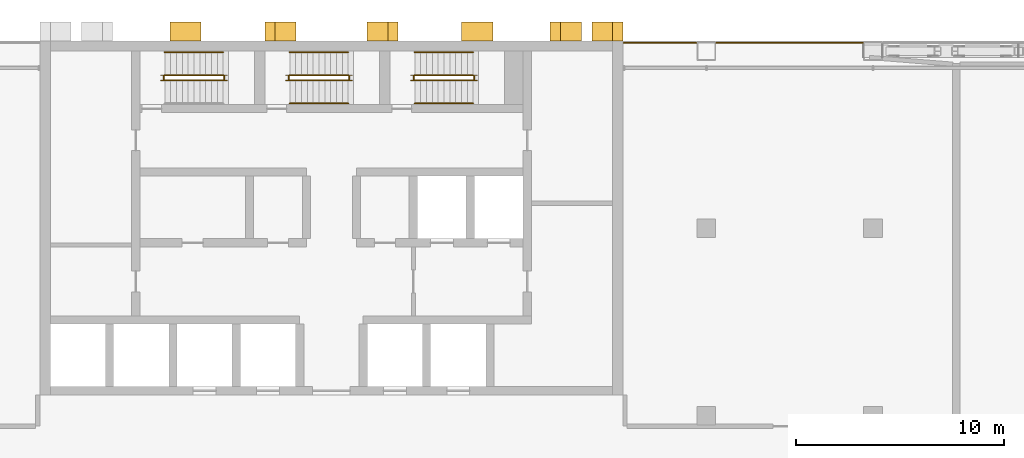
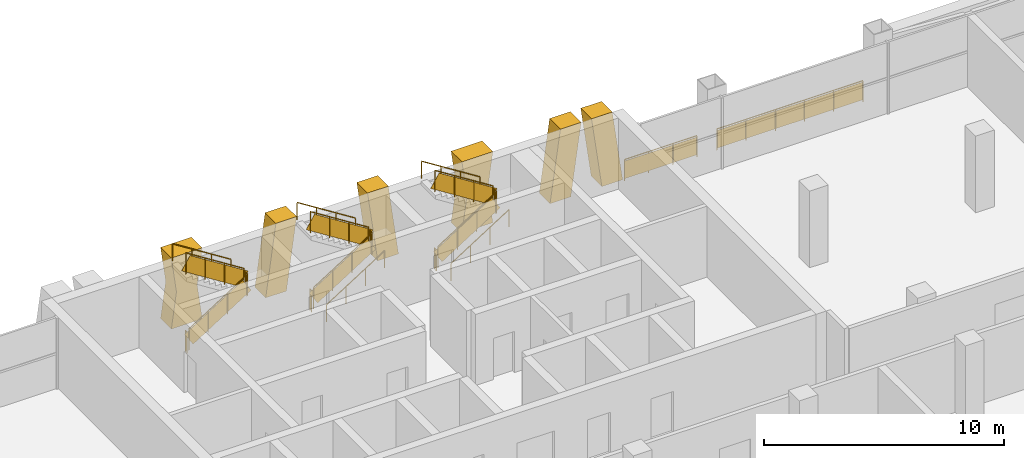
# One storey, part 18 of 19: 19 railings, 6 shading devices.
"""IFC4 building model written with IfcOpenShell, lengths in metres."""

from ifc_helpers import new_model, si_unit, direction, frame, origin, origin_2d, place, context, subcontext, project, spatial, polyline, rectangle, circle, outline, extrude, material, layer, layer_set, type_object, element, save


model = new_model("IFC4")

# Units and contexts
model_context = context("Model", 3, precision=1e-05, world=origin(), true_north=direction((0.0, 1.0)))
body_context = subcontext(model_context, "Body", "Model", "MODEL_VIEW")
ifc_project = project(units=[si_unit("LENGTHUNIT", "METRE"), si_unit("AREAUNIT", "SQUARE_METRE"), si_unit("VOLUMEUNIT", "CUBIC_METRE"), si_unit("PLANEANGLEUNIT", "RADIAN"), si_unit("MASSUNIT", "GRAM", prefix="KILO")], contexts=[model_context])

# Site, building, storey
site_placement = place(None, origin())
site = spatial("IfcSite", under=ifc_project, at=site_placement, CompositionType="ELEMENT")
building_placement = place(site_placement, origin())
building = spatial("IfcBuilding", under=site, at=building_placement, Name="Vidyagriha Tower", CompositionType="ELEMENT")
storey_placement = place(building_placement, frame((0.0, 0.0, 73.60009765625)))
storey = spatial("IfcBuildingStorey", under=building, at=storey_placement, Name="L18", CompositionType="ELEMENT", Elevation=73.60009765625)

# Shading devices
ifc_material_1 = material(Name="Precast concrete C40/50 with brick facing", Category="concrete")
ifc_layer_1 = layer(ifc_material_1, 1.0)
ifc_layer_set_1 = layer_set([ifc_layer_1], Name="Precast concrete C40/50 with brick facing")
shading_device_type_1 = type_object("IfcShadingDeviceType", Name="Brick-faced rear rib arm leaning 8 degrees", PredefinedType="USERDEFINED", material=ifc_layer_set_1)
shading_device_1_placement = place(storey_placement, frame((14.0, 20.449951171875, 0.0), z_axis=(0.0, 0.0, 1.0), x_axis=(-1.0, 0.0, 0.0)))
element("IfcShadingDevice", 1, at=shading_device_1_placement, inside=storey, type_object=shading_device_type_1, Name="Rear rib arm L18 R08.1a", ObjectType="BLADE FIN", PredefinedType="USERDEFINED", context=body_context, shape_type="SweptSolid", body=[
    extrude(outline(polyline([(0.0, 0.0), (1.0, 0.0), (1.5, 3.619873046875), (0.5, 3.619873046875), (0.0, 0.0)])), frame((0.0, 0.449951171875, 0.0), z_axis=(0.0, -1.0, 0.0), x_axis=(1.0, 0.0, 0.0)), (0.0, 0.0, 1.0), 0.89990234375),
])
shading_device_2_placement = place(storey_placement, frame((12.0, 20.449951171875, 0.0), z_axis=(0.0, 0.0, 1.0), x_axis=(-1.0, 0.0, 0.0)))
element("IfcShadingDevice", 2, at=shading_device_2_placement, inside=storey, type_object=shading_device_type_1, Name="Rear rib arm L18 R08.1b", ObjectType="BLADE FIN", PredefinedType="USERDEFINED", context=body_context, shape_type="SweptSolid", body=[
    extrude(outline(polyline([(0.5, 0.0), (1.5, 0.0), (1.0, 3.619873046875), (0.0, 3.619873046875), (0.5, 0.0)])), frame((0.0, 0.449951171875, 0.0), z_axis=(0.0, -1.0, 0.0), x_axis=(1.0, 0.0, 0.0)), (0.0, 0.0, 1.0), 0.89990234375),
])
shading_device_3_placement = place(storey_placement, frame((3.199951171875, 20.449951171875, 0.0), z_axis=(0.0, 0.0, 1.0), x_axis=(-1.0, 0.0, 0.0)))
element("IfcShadingDevice", 3, at=shading_device_3_placement, inside=storey, type_object=shading_device_type_1, Name="Rear rib arm L18 R08.3a", ObjectType="BLADE FIN", PredefinedType="USERDEFINED", context=body_context, shape_type="SweptSolid", body=[
    extrude(outline(polyline([(0.0, 0.0), (1.0, 0.0), (1.490966796875, 3.619873046875), (0.490966796875, 3.619873046875), (0.0, 0.0)])), frame((0.0, 0.449951171875, 0.0), z_axis=(0.0, -1.0, 0.0), x_axis=(1.0, 0.0, 0.0)), (0.0, 0.0, 1.0), 0.89990234375),
])
shading_device_4_placement = place(storey_placement, frame((-1.708984375, 20.449951171875, 0.0), z_axis=(0.0, 0.0, 1.0), x_axis=(-1.0, 0.0, 0.0)))
element("IfcShadingDevice", 4, at=shading_device_4_placement, inside=storey, type_object=shading_device_type_1, Name="Rear rib arm L18 R08.3b", ObjectType="BLADE FIN", PredefinedType="USERDEFINED", context=body_context, shape_type="SweptSolid", body=[
    extrude(outline(polyline([(0.490966796875, 0.0), (1.490966796875, 0.0), (1.0, 3.619873046875), (0.0, 3.619873046875), (0.490966796875, 0.0)])), frame((0.0, 0.449951171875, 0.0), z_axis=(0.0, -1.0, 0.0), x_axis=(1.0, 0.0, 0.0)), (0.0, 0.0, 1.0), 0.89990234375),
])
ifc_material_2 = material(Name="Precast concrete C40/50 with brick facing", Category="concrete")
ifc_layer_2 = layer(ifc_material_2, 1.0)
ifc_layer_set_2 = layer_set([ifc_layer_2], Name="Precast concrete C40/50 with brick facing")
shading_device_type_2 = type_object("IfcShadingDeviceType", Name="Brick-faced rear rib forking 8 degrees", PredefinedType="USERDEFINED", material=ifc_layer_set_2)
for number, where, z_axis, x_axis, name in (
    (5, (7.74560546875, 20.449951171875, 0.0), (0.0, 0.0, 1.0), (-1.0, 0.0, 0.0), "Rear rib fork L18 R08.2a"),
    (6, (-6.25439453125, 20.449951171875, 0.0), (0.0, 0.0, 1.0), (-1.0, 0.0, 0.0), "Rear rib fork L18 R08.4a"),
):
    element("IfcShadingDevice", number, at=place(storey_placement, frame(where, z_axis=z_axis, x_axis=x_axis)), inside=storey, type_object=shading_device_type_2, Name=name, ObjectType="BLADE FIN", PredefinedType="USERDEFINED", context=body_context, shape_type="SweptSolid", body=[
        extrude(outline(polyline([(0.0, 0.0), (1.490966796875, 0.0), (1.24560546875, 1.809814453125), (1.490966796875, 3.619873046875), (0.0, 3.619873046875), (0.24560546875, 1.809814453125), (0.0, 0.0)])), frame((0.0, 0.449951171875, 0.0), z_axis=(0.0, -1.0, 0.0), x_axis=(1.0, 0.0, 0.0)), (0.0, 0.0, 1.0), 0.89990234375),
    ])

# Railings
ifc_material_3 = material(Name="Steel ASTM A500 Grade C black painted", Category="steel")
railing_type_1 = type_object("IfcRailingType", Name="Gallery guard 1100", PredefinedType="GUARDRAIL", material=ifc_material_3)
railing_1_placement = place(storey_placement, frame((14.030029296875, 19.89990234375, 0.0)))
element("IfcRailing", 7, at=railing_1_placement, inside=storey, type_object=railing_type_1, Name="Gallery guard L18 9", PredefinedType="GUARDRAIL", context=body_context, shape_type="SweptSolid", body=[
    extrude(circle(Radius=0.02490234375, at=origin_2d()), frame((0.0, 0.0, 1.0751953125), z_axis=(1.0, 0.0, 0.0), x_axis=(0.0, 1.0, 0.0)), (0.0, 0.0, 1.0), 3.489990234375),
    extrude(circle(Radius=0.02001953125, at=origin_2d()), origin(), (0.0, 0.0, 1.0), 1.050048828125),
    extrude(circle(Radius=0.02001953125, at=origin_2d()), frame((1.163330078125, 0.0, 0.0)), (0.0, 0.0, 1.0), 1.050048828125),
    extrude(circle(Radius=0.02001953125, at=origin_2d()), frame((2.32666015625, 0.0, 0.0)), (0.0, 0.0, 1.0), 1.050048828125),
    extrude(circle(Radius=0.02001953125, at=origin_2d()), frame((3.489990234375, 0.0, 0.0)), (0.0, 0.0, 1.0), 1.050048828125),
    extrude(rectangle(XDim=0.010009765625, YDim=0.900146484375, at=origin_2d()), frame((0.0, 0.0, 0.550048828125), z_axis=(1.0, 0.0, 0.0), x_axis=(0.0, 1.0, 0.0)), (0.0, 0.0, 1.0), 3.489990234375),
])
railing_2_placement = place(storey_placement, frame((18.47998046875, 19.89990234375, 0.0)))
element("IfcRailing", 8, at=railing_2_placement, inside=storey, type_object=railing_type_1, Name="Gallery guard L18 11", PredefinedType="GUARDRAIL", context=body_context, shape_type="SweptSolid", body=[
    extrude(circle(Radius=0.02490234375, at=origin_2d()), frame((0.0, 0.0, 1.0751953125), z_axis=(1.0, 0.0, 0.0), x_axis=(0.0, 1.0, 0.0)), (0.0, 0.0, 1.0), 7.0400390625),
    extrude(circle(Radius=0.02001953125, at=origin_2d()), origin(), (0.0, 0.0, 1.0), 1.050048828125),
    extrude(circle(Radius=0.02001953125, at=origin_2d()), frame((1.407958984375, 0.0, 0.0)), (0.0, 0.0, 1.0), 1.050048828125),
    extrude(circle(Radius=0.02001953125, at=origin_2d()), frame((2.81591796875, 0.0, 0.0)), (0.0, 0.0, 1.0), 1.050048828125),
    extrude(circle(Radius=0.02001953125, at=origin_2d()), frame((4.22412109375, 0.0, 0.0)), (0.0, 0.0, 1.0), 1.050048828125),
    extrude(circle(Radius=0.02001953125, at=origin_2d()), frame((5.632080078125, 0.0, 0.0)), (0.0, 0.0, 1.0), 1.050048828125),
    extrude(circle(Radius=0.02001953125, at=origin_2d()), frame((7.0400390625, 0.0, 0.0)), (0.0, 0.0, 1.0), 1.050048828125),
    extrude(rectangle(XDim=0.010009765625, YDim=0.900146484375, at=origin_2d()), frame((0.0, 0.0, 0.550048828125), z_axis=(1.0, 0.0, 0.0), x_axis=(0.0, 1.0, 0.0)), (0.0, 0.0, 1.0), 7.0400390625),
])
ifc_material_4 = material(Name="Steel ASTM A500 Grade C", Category="steel")
railing_type_2 = type_object("IfcRailingType", Name="Stair guard 1100 mm, steel balustrade", PredefinedType="GUARDRAIL", material=ifc_material_4)
railing_3_placement = place(storey_placement, frame((-8.0, 18.10009765625, 0.17724609375)))
element("IfcRailing", 9, at=railing_3_placement, inside=storey, type_object=railing_type_2, Name="L18 ST1 stair guard 1", PredefinedType="GUARDRAIL", context=body_context, shape_type="SweptSolid", body=[
    extrude(circle(Radius=0.02392578125, at=origin_2d()), frame((0.0, 0.0, 1.076171875), z_axis=(0.844908973607, 0.0, 0.534910110503), x_axis=(0.0, 1.0, 0.0)), (0.0, 0.0, 1.0), 3.31396484375),
    extrude(circle(Radius=0.02099609375, at=origin_2d()), origin(), (0.0, 0.0, 1.0), 1.052001953125),
    extrude(circle(Radius=0.02099609375, at=origin_2d()), frame((0.933349609375, 0.0, 0.5908203125)), (0.0, 0.0, 1.0), 1.052001953125),
    extrude(circle(Radius=0.02099609375, at=origin_2d()), frame((1.86669921875, 0.0, 1.181884765625)), (0.0, 0.0, 1.0), 1.052001953125),
    extrude(circle(Radius=0.02099609375, at=origin_2d()), frame((2.800048828125, 0.0, 1.772705078125)), (0.0, 0.0, 1.0), 1.052001953125),
    extrude(rectangle(XDim=0.010009765625, YDim=0.76220703125, at=origin_2d()), frame((0.0, 0.0, 0.551025390625), z_axis=(0.844908973607, 0.0, 0.534910110503), x_axis=(0.0, 1.0, 0.0)), (0.0, 0.0, 1.0), 3.31396484375),
])
railing_4_placement = place(storey_placement, frame((-5.14990234375, 18.14990234375, 1.949951171875)))
element("IfcRailing", 10, at=railing_4_placement, inside=storey, type_object=railing_type_2, Name="L18 ST1 stair guard 2", PredefinedType="GUARDRAIL", context=body_context, shape_type="SweptSolid", body=[
    extrude(circle(Radius=0.02392578125, at=origin_2d()), frame((0.0, 0.0, 1.076171875), z_axis=(0.0, 1.0, 0.0), x_axis=(-1.0, 0.0, 0.0)), (0.0, 0.0, 1.0), 0.150146484375),
    extrude(circle(Radius=0.02099609375, at=origin_2d()), origin(), (0.0, 0.0, 1.0), 1.052001953125),
    extrude(circle(Radius=0.02099609375, at=origin_2d()), frame((0.0, 0.150146484375, 0.0)), (0.0, 0.0, 1.0), 1.052001953125),
    extrude(rectangle(XDim=0.010009765625, YDim=0.902099609375, at=origin_2d()), frame((0.0, 0.0, 0.551025390625), z_axis=(0.0, 1.0, 0.0), x_axis=(-1.0, 0.0, 0.0)), (0.0, 0.0, 1.0), 0.150146484375),
])
railing_5_placement = place(storey_placement, frame((-5.199951171875, 18.35009765625, 2.127197265625)))
element("IfcRailing", 11, at=railing_5_placement, inside=storey, type_object=railing_type_2, Name="L18 ST1 stair guard 3", PredefinedType="GUARDRAIL", context=body_context, shape_type="SweptSolid", body=[
    extrude(circle(Radius=0.02392578125, at=origin_2d()), frame((0.0, 0.0, 1.076171875), z_axis=(-0.844908973607, 0.0, 0.534910110503), x_axis=(0.0, -1.0, 0.0)), (0.0, 0.0, 1.0), 3.31396484375),
    extrude(circle(Radius=0.02099609375, at=origin_2d()), origin(), (0.0, 0.0, 1.0), 1.052001953125),
    extrude(circle(Radius=0.02099609375, at=origin_2d()), frame((-0.933349609375, 0.0, 0.5908203125)), (0.0, 0.0, 1.0), 1.052001953125),
    extrude(circle(Radius=0.02099609375, at=origin_2d()), frame((-1.86669921875, 0.0, 1.181884765625)), (0.0, 0.0, 1.0), 1.052001953125),
    extrude(circle(Radius=0.02099609375, at=origin_2d()), frame((-2.800048828125, 0.0, 1.772705078125)), (0.0, 0.0, 1.0), 1.052001953125),
    extrude(rectangle(XDim=0.010009765625, YDim=0.76220703125, at=origin_2d()), frame((0.0, 0.0, 0.551025390625), z_axis=(-0.844908973607, 0.0, 0.534910110503), x_axis=(0.0, -1.0, 0.0)), (0.0, 0.0, 1.0), 3.31396484375),
])
railing_6_placement = place(storey_placement, frame((-8.050048828125, 18.14990234375, 0.0)))
element("IfcRailing", 12, at=railing_6_placement, inside=storey, type_object=railing_type_2, Name="L18 ST1 stair guard 4", PredefinedType="GUARDRAIL", context=body_context, shape_type="SweptSolid", body=[
    extrude(circle(Radius=0.02392578125, at=origin_2d()), frame((0.0, 0.0, 1.076171875), z_axis=(0.0, 1.0, 0.0), x_axis=(-1.0, 0.0, 0.0)), (0.0, 0.0, 1.0), 0.150146484375),
    extrude(circle(Radius=0.02099609375, at=origin_2d()), origin(), (0.0, 0.0, 1.0), 1.052001953125),
    extrude(circle(Radius=0.02099609375, at=origin_2d()), frame((0.0, 0.150146484375, 0.0)), (0.0, 0.0, 1.0), 1.052001953125),
    extrude(rectangle(XDim=0.010009765625, YDim=0.902099609375, at=origin_2d()), frame((0.0, 0.0, 0.551025390625), z_axis=(0.0, 1.0, 0.0), x_axis=(-1.0, 0.0, 0.0)), (0.0, 0.0, 1.0), 0.150146484375),
])
railing_7_placement = place(storey_placement, frame((-2.0, 18.10009765625, 0.17724609375)))
element("IfcRailing", 13, at=railing_7_placement, inside=storey, type_object=railing_type_2, Name="L18 ST2 stair guard 1", PredefinedType="GUARDRAIL", context=body_context, shape_type="SweptSolid", body=[
    extrude(circle(Radius=0.02392578125, at=origin_2d()), frame((0.0, 0.0, 1.076171875), z_axis=(0.844908973607, 0.0, 0.534910110503), x_axis=(0.0, 1.0, 0.0)), (0.0, 0.0, 1.0), 3.31396484375),
    extrude(circle(Radius=0.02099609375, at=origin_2d()), origin(), (0.0, 0.0, 1.0), 1.052001953125),
    extrude(circle(Radius=0.02099609375, at=origin_2d()), frame((0.933349609375, 0.0, 0.5908203125)), (0.0, 0.0, 1.0), 1.052001953125),
    extrude(circle(Radius=0.02099609375, at=origin_2d()), frame((1.86669921875, 0.0, 1.181884765625)), (0.0, 0.0, 1.0), 1.052001953125),
    extrude(circle(Radius=0.02099609375, at=origin_2d()), frame((2.800048828125, 0.0, 1.772705078125)), (0.0, 0.0, 1.0), 1.052001953125),
    extrude(rectangle(XDim=0.010009765625, YDim=0.76220703125, at=origin_2d()), frame((0.0, 0.0, 0.551025390625), z_axis=(0.844908973607, 0.0, 0.534910110503), x_axis=(0.0, 1.0, 0.0)), (0.0, 0.0, 1.0), 3.31396484375),
])
railing_8_placement = place(storey_placement, frame((0.85009765625, 18.14990234375, 1.949951171875)))
element("IfcRailing", 14, at=railing_8_placement, inside=storey, type_object=railing_type_2, Name="L18 ST2 stair guard 2", PredefinedType="GUARDRAIL", context=body_context, shape_type="SweptSolid", body=[
    extrude(circle(Radius=0.02392578125, at=origin_2d()), frame((0.0, 0.0, 1.076171875), z_axis=(0.0, 1.0, 0.0), x_axis=(-1.0, 0.0, 0.0)), (0.0, 0.0, 1.0), 0.150146484375),
    extrude(circle(Radius=0.02099609375, at=origin_2d()), origin(), (0.0, 0.0, 1.0), 1.052001953125),
    extrude(circle(Radius=0.02099609375, at=origin_2d()), frame((0.0, 0.150146484375, 0.0)), (0.0, 0.0, 1.0), 1.052001953125),
    extrude(rectangle(XDim=0.010009765625, YDim=0.902099609375, at=origin_2d()), frame((0.0, 0.0, 0.551025390625), z_axis=(0.0, 1.0, 0.0), x_axis=(-1.0, 0.0, 0.0)), (0.0, 0.0, 1.0), 0.150146484375),
])
railing_9_placement = place(storey_placement, frame((0.800048828125, 18.35009765625, 2.127197265625)))
element("IfcRailing", 15, at=railing_9_placement, inside=storey, type_object=railing_type_2, Name="L18 ST2 stair guard 3", PredefinedType="GUARDRAIL", context=body_context, shape_type="SweptSolid", body=[
    extrude(circle(Radius=0.02392578125, at=origin_2d()), frame((0.0, 0.0, 1.076171875), z_axis=(-0.844908973607, 0.0, 0.534910110503), x_axis=(0.0, -1.0, 0.0)), (0.0, 0.0, 1.0), 3.31396484375),
    extrude(circle(Radius=0.02099609375, at=origin_2d()), origin(), (0.0, 0.0, 1.0), 1.052001953125),
    extrude(circle(Radius=0.02099609375, at=origin_2d()), frame((-0.933349609375, 0.0, 0.5908203125)), (0.0, 0.0, 1.0), 1.052001953125),
    extrude(circle(Radius=0.02099609375, at=origin_2d()), frame((-1.86669921875, 0.0, 1.181884765625)), (0.0, 0.0, 1.0), 1.052001953125),
    extrude(circle(Radius=0.02099609375, at=origin_2d()), frame((-2.800048828125, 0.0, 1.772705078125)), (0.0, 0.0, 1.0), 1.052001953125),
    extrude(rectangle(XDim=0.010009765625, YDim=0.76220703125, at=origin_2d()), frame((0.0, 0.0, 0.551025390625), z_axis=(-0.844908973607, 0.0, 0.534910110503), x_axis=(0.0, -1.0, 0.0)), (0.0, 0.0, 1.0), 3.31396484375),
])
railing_10_placement = place(storey_placement, frame((-2.050048828125, 18.14990234375, 0.0)))
element("IfcRailing", 16, at=railing_10_placement, inside=storey, type_object=railing_type_2, Name="L18 ST2 stair guard 4", PredefinedType="GUARDRAIL", context=body_context, shape_type="SweptSolid", body=[
    extrude(circle(Radius=0.02392578125, at=origin_2d()), frame((0.0, 0.0, 1.076171875), z_axis=(0.0, 1.0, 0.0), x_axis=(-1.0, 0.0, 0.0)), (0.0, 0.0, 1.0), 0.150146484375),
    extrude(circle(Radius=0.02099609375, at=origin_2d()), origin(), (0.0, 0.0, 1.0), 1.052001953125),
    extrude(circle(Radius=0.02099609375, at=origin_2d()), frame((0.0, 0.150146484375, 0.0)), (0.0, 0.0, 1.0), 1.052001953125),
    extrude(rectangle(XDim=0.010009765625, YDim=0.902099609375, at=origin_2d()), frame((0.0, 0.0, 0.551025390625), z_axis=(0.0, 1.0, 0.0), x_axis=(-1.0, 0.0, 0.0)), (0.0, 0.0, 1.0), 0.150146484375),
])
railing_11_placement = place(storey_placement, frame((4.0, 18.10009765625, 0.17724609375)))
element("IfcRailing", 17, at=railing_11_placement, inside=storey, type_object=railing_type_2, Name="L18 ST3 stair guard 1", PredefinedType="GUARDRAIL", context=body_context, shape_type="SweptSolid", body=[
    extrude(circle(Radius=0.02392578125, at=origin_2d()), frame((0.0, 0.0, 1.076171875), z_axis=(0.844908973607, 0.0, 0.534910110503), x_axis=(0.0, 1.0, 0.0)), (0.0, 0.0, 1.0), 3.31396484375),
    extrude(circle(Radius=0.02099609375, at=origin_2d()), origin(), (0.0, 0.0, 1.0), 1.052001953125),
    extrude(circle(Radius=0.02099609375, at=origin_2d()), frame((0.933349609375, 0.0, 0.5908203125)), (0.0, 0.0, 1.0), 1.052001953125),
    extrude(circle(Radius=0.02099609375, at=origin_2d()), frame((1.86669921875, 0.0, 1.181884765625)), (0.0, 0.0, 1.0), 1.052001953125),
    extrude(circle(Radius=0.02099609375, at=origin_2d()), frame((2.800048828125, 0.0, 1.772705078125)), (0.0, 0.0, 1.0), 1.052001953125),
    extrude(rectangle(XDim=0.010009765625, YDim=0.76220703125, at=origin_2d()), frame((0.0, 0.0, 0.551025390625), z_axis=(0.844908973607, 0.0, 0.534910110503), x_axis=(0.0, 1.0, 0.0)), (0.0, 0.0, 1.0), 3.31396484375),
])
railing_12_placement = place(storey_placement, frame((6.85009765625, 18.14990234375, 1.949951171875)))
element("IfcRailing", 18, at=railing_12_placement, inside=storey, type_object=railing_type_2, Name="L18 ST3 stair guard 2", PredefinedType="GUARDRAIL", context=body_context, shape_type="SweptSolid", body=[
    extrude(circle(Radius=0.02392578125, at=origin_2d()), frame((0.0, 0.0, 1.076171875), z_axis=(0.0, 1.0, 0.0), x_axis=(-1.0, 0.0, 0.0)), (0.0, 0.0, 1.0), 0.150146484375),
    extrude(circle(Radius=0.02099609375, at=origin_2d()), origin(), (0.0, 0.0, 1.0), 1.052001953125),
    extrude(circle(Radius=0.02099609375, at=origin_2d()), frame((0.0, 0.150146484375, 0.0)), (0.0, 0.0, 1.0), 1.052001953125),
    extrude(rectangle(XDim=0.010009765625, YDim=0.902099609375, at=origin_2d()), frame((0.0, 0.0, 0.551025390625), z_axis=(0.0, 1.0, 0.0), x_axis=(-1.0, 0.0, 0.0)), (0.0, 0.0, 1.0), 0.150146484375),
])
railing_13_placement = place(storey_placement, frame((6.800048828125, 18.35009765625, 2.127197265625)))
element("IfcRailing", 19, at=railing_13_placement, inside=storey, type_object=railing_type_2, Name="L18 ST3 stair guard 3", PredefinedType="GUARDRAIL", context=body_context, shape_type="SweptSolid", body=[
    extrude(circle(Radius=0.02392578125, at=origin_2d()), frame((0.0, 0.0, 1.076171875), z_axis=(-0.844908973607, 0.0, 0.534910110503), x_axis=(0.0, -1.0, 0.0)), (0.0, 0.0, 1.0), 3.31396484375),
    extrude(circle(Radius=0.02099609375, at=origin_2d()), origin(), (0.0, 0.0, 1.0), 1.052001953125),
    extrude(circle(Radius=0.02099609375, at=origin_2d()), frame((-0.933349609375, 0.0, 0.5908203125)), (0.0, 0.0, 1.0), 1.052001953125),
    extrude(circle(Radius=0.02099609375, at=origin_2d()), frame((-1.86669921875, 0.0, 1.181884765625)), (0.0, 0.0, 1.0), 1.052001953125),
    extrude(circle(Radius=0.02099609375, at=origin_2d()), frame((-2.800048828125, 0.0, 1.772705078125)), (0.0, 0.0, 1.0), 1.052001953125),
    extrude(rectangle(XDim=0.010009765625, YDim=0.76220703125, at=origin_2d()), frame((0.0, 0.0, 0.551025390625), z_axis=(-0.844908973607, 0.0, 0.534910110503), x_axis=(0.0, -1.0, 0.0)), (0.0, 0.0, 1.0), 3.31396484375),
])
railing_14_placement = place(storey_placement, frame((3.949951171875, 18.14990234375, 0.0)))
element("IfcRailing", 20, at=railing_14_placement, inside=storey, type_object=railing_type_2, Name="L18 ST3 stair guard 4", PredefinedType="GUARDRAIL", context=body_context, shape_type="SweptSolid", body=[
    extrude(circle(Radius=0.02392578125, at=origin_2d()), frame((0.0, 0.0, 1.076171875), z_axis=(0.0, 1.0, 0.0), x_axis=(-1.0, 0.0, 0.0)), (0.0, 0.0, 1.0), 0.150146484375),
    extrude(circle(Radius=0.02099609375, at=origin_2d()), origin(), (0.0, 0.0, 1.0), 1.052001953125),
    extrude(circle(Radius=0.02099609375, at=origin_2d()), frame((0.0, 0.150146484375, 0.0)), (0.0, 0.0, 1.0), 1.052001953125),
    extrude(rectangle(XDim=0.010009765625, YDim=0.902099609375, at=origin_2d()), frame((0.0, 0.0, 0.551025390625), z_axis=(0.0, 1.0, 0.0), x_axis=(-1.0, 0.0, 0.0)), (0.0, 0.0, 1.0), 0.150146484375),
])
ifc_material_5 = material(Name="Steel ASTM A500 Grade C", Category="steel")
railing_type_3 = type_object("IfcRailingType", Name="Stair handrail 900 mm, steel", PredefinedType="HANDRAIL", material=ifc_material_5)
railing_15_placement = place(storey_placement, frame((-5.199951171875, 19.449951171875, 2.127197265625)))
element("IfcRailing", 21, at=railing_15_placement, inside=storey, type_object=railing_type_3, Name="L18 ST1 stair handrail 2", PredefinedType="HANDRAIL", context=body_context, shape_type="SweptSolid", body=[
    extrude(circle(Radius=0.02392578125, at=origin_2d()), frame((0.0, 0.0, 0.8759765625), z_axis=(-0.844908973607, 0.0, 0.534910110503), x_axis=(0.0, -1.0, 0.0)), (0.0, 0.0, 1.0), 3.31396484375),
    extrude(circle(Radius=0.02099609375, at=origin_2d()), origin(), (0.0, 0.0, 1.0), 0.851806640625),
    extrude(circle(Radius=0.02099609375, at=origin_2d()), frame((-0.933349609375, 0.0, 0.5908203125)), (0.0, 0.0, 1.0), 0.851806640625),
    extrude(circle(Radius=0.02099609375, at=origin_2d()), frame((-1.86669921875, 0.0, 1.181884765625)), (0.0, 0.0, 1.0), 0.851806640625),
    extrude(circle(Radius=0.02099609375, at=origin_2d()), frame((-2.800048828125, 0.0, 1.772705078125)), (0.0, 0.0, 1.0), 0.851806640625),
])
railing_16_placement = place(storey_placement, frame((-2.0, 17.0, 0.17724609375)))
element("IfcRailing", 22, at=railing_16_placement, inside=storey, type_object=railing_type_3, Name="L18 ST2 stair handrail 1", PredefinedType="HANDRAIL", context=body_context, shape_type="SweptSolid", body=[
    extrude(circle(Radius=0.02392578125, at=origin_2d()), frame((0.0, 0.0, 0.8759765625), z_axis=(0.844908973607, 0.0, 0.534910110503), x_axis=(0.0, 1.0, 0.0)), (0.0, 0.0, 1.0), 3.31396484375),
    extrude(circle(Radius=0.02099609375, at=origin_2d()), origin(), (0.0, 0.0, 1.0), 0.851806640625),
    extrude(circle(Radius=0.02099609375, at=origin_2d()), frame((0.933349609375, 0.0, 0.5908203125)), (0.0, 0.0, 1.0), 0.851806640625),
    extrude(circle(Radius=0.02099609375, at=origin_2d()), frame((1.86669921875, 0.0, 1.181884765625)), (0.0, 0.0, 1.0), 0.851806640625),
    extrude(circle(Radius=0.02099609375, at=origin_2d()), frame((2.800048828125, 0.0, 1.772705078125)), (0.0, 0.0, 1.0), 0.851806640625),
])
railing_17_placement = place(storey_placement, frame((0.800048828125, 19.449951171875, 2.127197265625)))
element("IfcRailing", 23, at=railing_17_placement, inside=storey, type_object=railing_type_3, Name="L18 ST2 stair handrail 2", PredefinedType="HANDRAIL", context=body_context, shape_type="SweptSolid", body=[
    extrude(circle(Radius=0.02392578125, at=origin_2d()), frame((0.0, 0.0, 0.8759765625), z_axis=(-0.844908973607, 0.0, 0.534910110503), x_axis=(0.0, -1.0, 0.0)), (0.0, 0.0, 1.0), 3.31396484375),
    extrude(circle(Radius=0.02099609375, at=origin_2d()), origin(), (0.0, 0.0, 1.0), 0.851806640625),
    extrude(circle(Radius=0.02099609375, at=origin_2d()), frame((-0.933349609375, 0.0, 0.5908203125)), (0.0, 0.0, 1.0), 0.851806640625),
    extrude(circle(Radius=0.02099609375, at=origin_2d()), frame((-1.86669921875, 0.0, 1.181884765625)), (0.0, 0.0, 1.0), 0.851806640625),
    extrude(circle(Radius=0.02099609375, at=origin_2d()), frame((-2.800048828125, 0.0, 1.772705078125)), (0.0, 0.0, 1.0), 0.851806640625),
])
railing_18_placement = place(storey_placement, frame((4.0, 17.0, 0.17724609375)))
element("IfcRailing", 24, at=railing_18_placement, inside=storey, type_object=railing_type_3, Name="L18 ST3 stair handrail 1", PredefinedType="HANDRAIL", context=body_context, shape_type="SweptSolid", body=[
    extrude(circle(Radius=0.02392578125, at=origin_2d()), frame((0.0, 0.0, 0.8759765625), z_axis=(0.844908973607, 0.0, 0.534910110503), x_axis=(0.0, 1.0, 0.0)), (0.0, 0.0, 1.0), 3.31396484375),
    extrude(circle(Radius=0.02099609375, at=origin_2d()), origin(), (0.0, 0.0, 1.0), 0.851806640625),
    extrude(circle(Radius=0.02099609375, at=origin_2d()), frame((0.933349609375, 0.0, 0.5908203125)), (0.0, 0.0, 1.0), 0.851806640625),
    extrude(circle(Radius=0.02099609375, at=origin_2d()), frame((1.86669921875, 0.0, 1.181884765625)), (0.0, 0.0, 1.0), 0.851806640625),
    extrude(circle(Radius=0.02099609375, at=origin_2d()), frame((2.800048828125, 0.0, 1.772705078125)), (0.0, 0.0, 1.0), 0.851806640625),
])
railing_19_placement = place(storey_placement, frame((6.800048828125, 19.449951171875, 2.127197265625)))
element("IfcRailing", 25, at=railing_19_placement, inside=storey, type_object=railing_type_3, Name="L18 ST3 stair handrail 2", PredefinedType="HANDRAIL", context=body_context, shape_type="SweptSolid", body=[
    extrude(circle(Radius=0.02392578125, at=origin_2d()), frame((0.0, 0.0, 0.8759765625), z_axis=(-0.844908973607, 0.0, 0.534910110503), x_axis=(0.0, -1.0, 0.0)), (0.0, 0.0, 1.0), 3.31396484375),
    extrude(circle(Radius=0.02099609375, at=origin_2d()), origin(), (0.0, 0.0, 1.0), 0.851806640625),
    extrude(circle(Radius=0.02099609375, at=origin_2d()), frame((-0.933349609375, 0.0, 0.5908203125)), (0.0, 0.0, 1.0), 0.851806640625),
    extrude(circle(Radius=0.02099609375, at=origin_2d()), frame((-1.86669921875, 0.0, 1.181884765625)), (0.0, 0.0, 1.0), 0.851806640625),
    extrude(circle(Radius=0.02099609375, at=origin_2d()), frame((-2.800048828125, 0.0, 1.772705078125)), (0.0, 0.0, 1.0), 0.851806640625),
])

save(model, "model.ifc")
